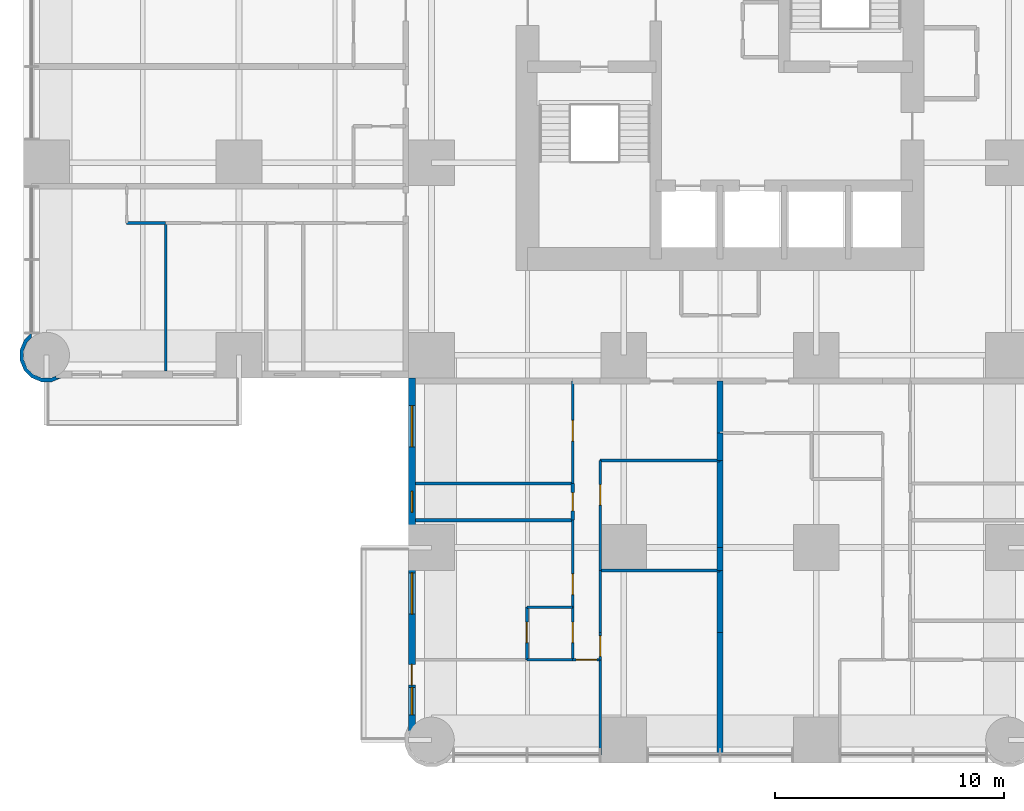
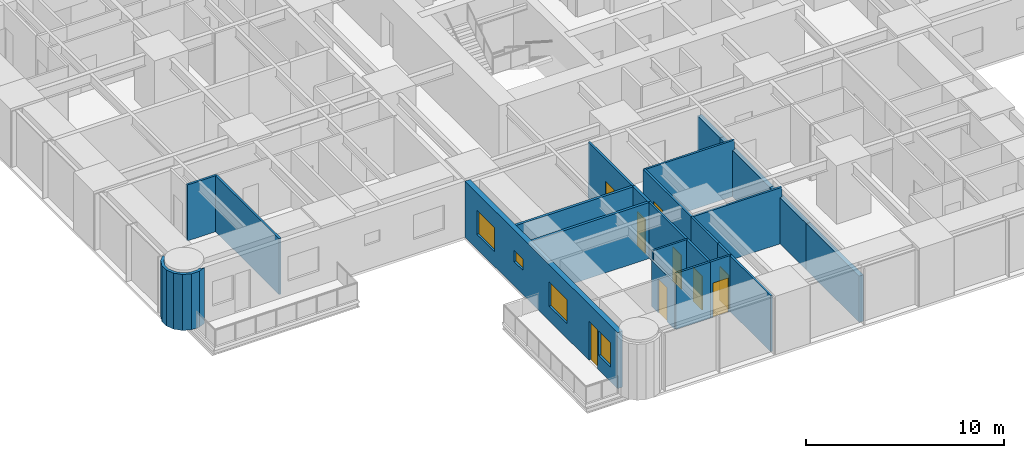
# One storey, part 7 of 17: 26 walls, 9 doors, 4 windows, 13 openings.
"""IFC4 building model written with IfcOpenShell, lengths in metres."""

from ifc_helpers import new_model, si_unit, direction, frame, frame_2d, origin, place, context, subcontext, project, spatial, polyline, rectangle, outline, extrude, material, layer, layer_set, type_object, element, fill, save


model = new_model("IFC4")

# Units and contexts
model_context = context("Model", 3, precision=1e-05, world=origin(), true_north=direction((0.0, 1.0)))
body_context = subcontext(model_context, "Body", "Model", "MODEL_VIEW")
ifc_project = project(units=[si_unit("LENGTHUNIT", "METRE"), si_unit("AREAUNIT", "SQUARE_METRE"), si_unit("VOLUMEUNIT", "CUBIC_METRE"), si_unit("PLANEANGLEUNIT", "RADIAN"), si_unit("MASSUNIT", "GRAM", prefix="KILO")], contexts=[model_context])

# Site, building, storey
site_placement = place(None, origin())
site = spatial("IfcSite", under=ifc_project, at=site_placement, CompositionType="ELEMENT")
building_placement = place(site_placement, origin())
building = spatial("IfcBuilding", under=site, at=building_placement, Name="Torre Alcanfor", CompositionType="ELEMENT")
storey_placement = place(building_placement, frame((0.0, 0.0, 95.699951171875)))
storey = spatial("IfcBuildingStorey", under=building, at=storey_placement, Name="L24", CompositionType="ELEMENT", Elevation=95.699951171875)

# Walls
ifc_material_1 = material(Name="Gypsum board on steel studs", Category="steel")
ifc_layer_1 = layer(ifc_material_1, 0.1201171875)
ifc_layer_set_1 = layer_set([ifc_layer_1], Name="Apartment partition 120")
wall_type_1 = type_object("IfcWallType", Name="Apartment partition 120", PredefinedType="PARTITIONING", material=ifc_layer_set_1)
for number, where, z_axis, x_axis, name in (
    (1, (29.39990234375, 12.199951171875, 0.0), (0.0, 0.0, 1.0), (-1.0, 0.0, 0.0), "Partition L24-S2-ZAG / L24-S2-FAMILY"),
    (2, (29.39990234375, 7.39990234375, 0.0), (0.0, 0.0, 1.0), (-1.0, 0.0, 0.0), "Partition L24-S2-FAMILY / L24-S2-KITCHEN"),
):
    element("IfcWall", number, at=place(storey_placement, frame(where, z_axis=z_axis, x_axis=x_axis)), inside=storey, type_object=wall_type_1, Name=name, PredefinedType="PARTITIONING", context=body_context, shape_type="SweptSolid", body=[
        extrude(rectangle(XDim=5.22900390625, YDim=0.1201171875, at=frame_2d((2.614501953125, 0.0))), origin(), (0.0, 0.0, 1.0), 3.449951171875),
    ])

# Wall, opening, door
wall_1_placement = place(storey_placement, frame((24.1708984375, 7.39990234375, 0.0), z_axis=(0.0, 0.0, 1.0), x_axis=(0.0, 1.0, 0.0)))
wall_1 = element("IfcWall", 3, at=wall_1_placement, inside=storey, type_object=wall_type_1, Name="Partition L24-S2-FAMILY / L24-S2-HALL", PredefinedType="PARTITIONING", context=body_context, shape_type="SweptSolid", body=[
    extrude(rectangle(XDim=4.800048828125, YDim=0.1201171875, at=frame_2d((2.39990234375, 0.0))), origin(), (0.0, 0.0, 1.0), 3.449951171875),
])
opening_1_placement = place(wall_1_placement, frame((2.85009765625, 0.0, 0.0)))
opening_1 = element("IfcOpeningElement", 4, at=opening_1_placement, cuts=wall_1, Name="Opening D-R1", PredefinedType="OPENING", context=body_context, shape_type="SweptSolid", body=[
    extrude(rectangle(XDim=0.89990234375, YDim=2.10009765625, at=frame_2d((0.449951171875, 1.050048828125))), frame((0.0, 0.070068359375, 0.0), z_axis=(0.0, -1.0, 0.0), x_axis=(1.0, 0.0, 0.0)), (0.0, 0.0, 1.0), 0.14013671875),
])
ifc_material_2 = material(Name="Timber", Category="wood")
door_type_1 = type_object("IfcDoorType", Name="Internal door 900x2100", OperationType="SINGLE_SWING_LEFT", PredefinedType="DOOR", material=ifc_material_2)
door_1_placement = place(opening_1_placement, frame((0.89990234375, 0.0, 0.0), z_axis=(0.0, 0.0, 1.0), x_axis=(-1.0, 0.0, 0.0)))
door_1 = element("IfcDoor", 5, at=door_1_placement, inside=storey, type_object=door_type_1, Name="Door L24-S2 family", OperationType="SINGLE_SWING_LEFT", OverallHeight=2.10009765625, OverallWidth=0.89990234375, PredefinedType="DOOR", context=body_context, shape_type="SweptSolid", body=[
    extrude(rectangle(XDim=0.89990234375, YDim=2.10009765625, at=frame_2d((0.449951171875, 1.050048828125))), frame((0.0, 0.025146484375, 0.0), z_axis=(0.0, -1.0, 0.0), x_axis=(1.0, 0.0, 0.0)), (0.0, 0.0, 1.0), 0.050048828125),
])
fill(opening_1, door_1)

# Wall
wall_2_placement = place(storey_placement, frame((24.1708984375, 4.699951171875, 0.0), z_axis=(0.0, 0.0, 1.0), x_axis=(0.0, 1.0, 0.0)))
element("IfcWall", 6, at=wall_2_placement, inside=storey, type_object=wall_type_1, Name="Partition L24-S2-KITCHEN / L24-S2-HALL", PredefinedType="PARTITIONING", context=body_context, shape_type="SweptSolid", body=[
    extrude(rectangle(XDim=2.699951171875, YDim=0.1201171875, at=frame_2d((1.35009765625, 0.0))), origin(), (0.0, 0.0, 1.0), 3.449951171875),
])

# Wall, opening, door
wall_3_placement = place(storey_placement, frame((24.1708984375, 3.5, 0.0), z_axis=(0.0, 0.0, 1.0), x_axis=(0.0, 1.0, 0.0)))
wall_3 = element("IfcWall", 7, at=wall_3_placement, inside=storey, type_object=wall_type_1, Name="Partition L24-S2-LIVING / L24-S2-HALL", PredefinedType="PARTITIONING", context=body_context, shape_type="SweptSolid", body=[
    extrude(rectangle(XDim=1.199951171875, YDim=0.1201171875, at=frame_2d((0.60009765625, 0.0))), origin(), (0.0, 0.0, 1.0), 3.449951171875),
])
opening_2_placement = place(wall_3_placement, frame((0.14990234375, 0.0, 0.0)))
opening_2 = element("IfcOpeningElement", 8, at=opening_2_placement, cuts=wall_3, Name="Opening D-R1", PredefinedType="OPENING", context=body_context, shape_type="SweptSolid", body=[
    extrude(rectangle(XDim=0.89990234375, YDim=2.10009765625, at=frame_2d((0.449951171875, 1.050048828125))), frame((0.0, 0.070068359375, 0.0), z_axis=(0.0, -1.0, 0.0), x_axis=(1.0, 0.0, 0.0)), (0.0, 0.0, 1.0), 0.14013671875),
])
door_2_placement = place(opening_2_placement, frame((0.89990234375, 0.0, 0.0), z_axis=(0.0, 0.0, 1.0), x_axis=(-1.0, 0.0, 0.0)))
door_2 = element("IfcDoor", 9, at=door_2_placement, inside=storey, type_object=door_type_1, Name="Door L24-S2 living", OperationType="SINGLE_SWING_LEFT", OverallHeight=2.10009765625, OverallWidth=0.89990234375, PredefinedType="DOOR", context=body_context, shape_type="SweptSolid", body=[
    extrude(rectangle(XDim=0.89990234375, YDim=2.10009765625, at=frame_2d((0.449951171875, 1.050048828125))), frame((0.0, 0.025146484375, 0.0), z_axis=(0.0, -1.0, 0.0), x_axis=(1.0, 0.0, 0.0)), (0.0, 0.0, 1.0), 0.050048828125),
])
fill(opening_2, door_2)

# Wall
wall_4_placement = place(storey_placement, frame((24.1708984375, -0.64990234375, 0.0), z_axis=(0.0, 0.0, 1.0), x_axis=(0.0, 1.0, 0.0)))
element("IfcWall", 10, at=wall_4_placement, inside=storey, type_object=wall_type_1, Name="Partition L24-S2-LIVING / L24-S2-WGARD", PredefinedType="PARTITIONING", context=body_context, shape_type="SweptSolid", body=[
    extrude(rectangle(XDim=4.14990234375, YDim=0.1201171875, at=frame_2d((2.074951171875, 0.0))), origin(), (0.0, 0.0, 1.0), 3.449951171875),
])

# Wall, opening, door
wall_5_placement = place(storey_placement, frame((22.970947265625, 11.199951171875, 0.0), z_axis=(0.0, 0.0, 1.0), x_axis=(0.0, 1.0, 0.0)))
wall_5 = element("IfcWall", 11, at=wall_5_placement, inside=storey, type_object=wall_type_1, Name="Partition L24-S2-HALL / L24-S2-BED2", PredefinedType="PARTITIONING", context=body_context, shape_type="SweptSolid", body=[
    extrude(rectangle(XDim=4.47509765625, YDim=0.1201171875, at=frame_2d((2.237548828125, 0.0))), origin(), (0.0, 0.0, 1.0), 3.449951171875),
])
opening_3_placement = place(wall_5_placement, frame((1.85009765625, 0.0, 0.0)))
opening_3 = element("IfcOpeningElement", 12, at=opening_3_placement, cuts=wall_5, Name="Opening D-R1", PredefinedType="OPENING", context=body_context, shape_type="SweptSolid", body=[
    extrude(rectangle(XDim=0.89990234375, YDim=2.10009765625, at=frame_2d((0.449951171875, 1.050048828125))), frame((0.0, 0.070068359375, 0.0), z_axis=(0.0, -1.0, 0.0), x_axis=(1.0, 0.0, 0.0)), (0.0, 0.0, 1.0), 0.14013671875),
])
door_3_placement = place(opening_3_placement, origin())
door_3 = element("IfcDoor", 13, at=door_3_placement, inside=storey, type_object=door_type_1, Name="Door L24-S2 bed2", OperationType="SINGLE_SWING_RIGHT", OverallHeight=2.10009765625, OverallWidth=0.89990234375, PredefinedType="DOOR", context=body_context, shape_type="SweptSolid", body=[
    extrude(rectangle(XDim=0.89990234375, YDim=2.10009765625, at=frame_2d((0.449951171875, 1.050048828125))), frame((0.0, 0.02490234375, 0.0), z_axis=(0.0, -1.0, 0.0), x_axis=(1.0, 0.0, 0.0)), (0.0, 0.0, 1.0), 0.050048828125),
])
fill(opening_3, door_3)

wall_6_placement = place(storey_placement, frame((22.970947265625, 5.800048828125, 0.0), z_axis=(0.0, 0.0, 1.0), x_axis=(0.0, 1.0, 0.0)))
wall_6 = element("IfcWall", 14, at=wall_6_placement, inside=storey, type_object=wall_type_1, Name="Partition L24-S2-HALL / L24-S2-MASTER", PredefinedType="PARTITIONING", context=body_context, shape_type="SweptSolid", body=[
    extrude(rectangle(XDim=3.800048828125, YDim=0.1201171875, at=frame_2d((1.89990234375, 0.0))), origin(), (0.0, 0.0, 1.0), 3.449951171875),
])
opening_4_placement = place(wall_6_placement, frame((0.550048828125, 0.0, 0.0)))
opening_4 = element("IfcOpeningElement", 15, at=opening_4_placement, cuts=wall_6, Name="Opening D-R1", PredefinedType="OPENING", context=body_context, shape_type="SweptSolid", body=[
    extrude(rectangle(XDim=0.89990234375, YDim=2.10009765625, at=frame_2d((0.449951171875, 1.050048828125))), frame((0.0, 0.070068359375, 0.0), z_axis=(0.0, -1.0, 0.0), x_axis=(1.0, 0.0, 0.0)), (0.0, 0.0, 1.0), 0.14013671875),
])
door_4_placement = place(opening_4_placement, origin())
door_4 = element("IfcDoor", 16, at=door_4_placement, inside=storey, type_object=door_type_1, Name="Door L24-S2 master", OperationType="SINGLE_SWING_LEFT", OverallHeight=2.10009765625, OverallWidth=0.89990234375, PredefinedType="DOOR", context=body_context, shape_type="SweptSolid", body=[
    extrude(rectangle(XDim=0.89990234375, YDim=2.10009765625, at=frame_2d((0.449951171875, 1.050048828125))), frame((0.0, 0.02490234375, 0.0), z_axis=(0.0, -1.0, 0.0), x_axis=(1.0, 0.0, 0.0)), (0.0, 0.0, 1.0), 0.050048828125),
])
fill(opening_4, door_4)

wall_7_placement = place(storey_placement, frame((22.970947265625, 3.5, 0.0), z_axis=(0.0, 0.0, 1.0), x_axis=(0.0, 1.0, 0.0)))
wall_7 = element("IfcWall", 17, at=wall_7_placement, inside=storey, type_object=wall_type_1, Name="Partition L24-S2-HALL / L24-S2-VEST", PredefinedType="PARTITIONING", context=body_context, shape_type="SweptSolid", body=[
    extrude(rectangle(XDim=2.300048828125, YDim=0.1201171875, at=frame_2d((1.14990234375, 0.0))), origin(), (0.0, 0.0, 1.0), 3.449951171875),
])
opening_5_placement = place(wall_7_placement, frame((0.75, 0.0, 0.0)))
opening_5 = element("IfcOpeningElement", 18, at=opening_5_placement, cuts=wall_7, Name="Opening D-R1", PredefinedType="OPENING", context=body_context, shape_type="SweptSolid", body=[
    extrude(rectangle(XDim=0.89990234375, YDim=2.10009765625, at=frame_2d((0.449951171875, 1.050048828125))), frame((0.0, 0.070068359375, 0.0), z_axis=(0.0, -1.0, 0.0), x_axis=(1.0, 0.0, 0.0)), (0.0, 0.0, 1.0), 0.14013671875),
])
door_5_placement = place(opening_5_placement, origin())
door_5 = element("IfcDoor", 19, at=door_5_placement, inside=storey, type_object=door_type_1, Name="Door L24-S2 vest", OperationType="SINGLE_SWING_RIGHT", OverallHeight=2.10009765625, OverallWidth=0.89990234375, PredefinedType="DOOR", context=body_context, shape_type="SweptSolid", body=[
    extrude(rectangle(XDim=0.89990234375, YDim=2.10009765625, at=frame_2d((0.449951171875, 1.050048828125))), frame((0.0, 0.02490234375, 0.0), z_axis=(0.0, -1.0, 0.0), x_axis=(1.0, 0.0, 0.0)), (0.0, 0.0, 1.0), 0.050048828125),
])
fill(opening_5, door_5)

wall_8_placement = place(storey_placement, frame((24.1708984375, 3.5, 0.0), z_axis=(0.0, 0.0, 1.0), x_axis=(-1.0, 0.0, 0.0)))
wall_8 = element("IfcWall", 20, at=wall_8_placement, inside=storey, type_object=wall_type_1, Name="Partition L24-S2-HALL / L24-S2-WGARD", PredefinedType="PARTITIONING", context=body_context, shape_type="SweptSolid", body=[
    extrude(rectangle(XDim=1.199951171875, YDim=0.1201171875, at=frame_2d((0.60009765625, 0.0))), origin(), (0.0, 0.0, 1.0), 3.449951171875),
])
opening_6_placement = place(wall_8_placement, frame((0.15087890625, 0.0, 0.0)))
opening_6 = element("IfcOpeningElement", 21, at=opening_6_placement, cuts=wall_8, Name="Opening D-R1", PredefinedType="OPENING", context=body_context, shape_type="SweptSolid", body=[
    extrude(rectangle(XDim=0.89990234375, YDim=2.10009765625, at=frame_2d((0.449951171875, 1.050048828125))), frame((0.0, 0.070068359375, 0.0), z_axis=(0.0, -1.0, 0.0), x_axis=(1.0, 0.0, 0.0)), (0.0, 0.0, 1.0), 0.14013671875),
])
door_6_placement = place(opening_6_placement, origin())
door_6 = element("IfcDoor", 22, at=door_6_placement, inside=storey, type_object=door_type_1, Name="Door L24-S2 wgard", OperationType="SINGLE_SWING_LEFT", OverallHeight=2.10009765625, OverallWidth=0.89990234375, PredefinedType="DOOR", context=body_context, shape_type="SweptSolid", body=[
    extrude(rectangle(XDim=0.89990234375, YDim=2.10009765625, at=frame_2d((0.449951171875, 1.050048828125))), frame((0.0, 0.02490234375, 0.0), z_axis=(0.0, -1.0, 0.0), x_axis=(1.0, 0.0, 0.0)), (0.0, 0.0, 1.0), 0.050048828125),
])
fill(opening_6, door_6)

# Wall
wall_9_placement = place(storey_placement, frame((22.970947265625, 5.800048828125, 0.0), z_axis=(0.0, 0.0, 1.0), x_axis=(-1.0, 0.0, 0.0)))
element("IfcWall", 23, at=wall_9_placement, inside=storey, type_object=wall_type_1, Name="Partition L24-S2-MASTER / L24-S2-VEST", PredefinedType="PARTITIONING", context=body_context, shape_type="SweptSolid", body=[
    extrude(rectangle(XDim=2.0, YDim=0.1201171875, at=frame_2d((1.0, 0.0))), origin(), (0.0, 0.0, 1.0), 3.449951171875),
])

# Wall, opening, door
wall_10_placement = place(storey_placement, frame((20.970947265625, 5.800048828125, 0.0), z_axis=(0.0, 0.0, 1.0), x_axis=(0.0, -1.0, 0.0)))
wall_10 = element("IfcWall", 24, at=wall_10_placement, inside=storey, type_object=wall_type_1, Name="Partition L24-S2-MASTER / L24-S2-VEST", PredefinedType="PARTITIONING", context=body_context, shape_type="SweptSolid", body=[
    extrude(rectangle(XDim=2.300048828125, YDim=0.1201171875, at=frame_2d((1.14990234375, 0.0))), origin(), (0.0, 0.0, 1.0), 2.84814453125),
])
opening_7_placement = place(wall_10_placement, frame((0.64990234375, 0.0, 0.0)))
opening_7 = element("IfcOpeningElement", 25, at=opening_7_placement, cuts=wall_10, Name="Opening D-R1", PredefinedType="OPENING", context=body_context, shape_type="SweptSolid", body=[
    extrude(rectangle(XDim=0.89990234375, YDim=2.10009765625, at=frame_2d((0.449951171875, 1.050048828125))), frame((0.0, 0.070068359375, 0.0), z_axis=(0.0, -1.0, 0.0), x_axis=(1.0, 0.0, 0.0)), (0.0, 0.0, 1.0), 0.14013671875),
])
door_7_placement = place(opening_7_placement, origin())
door_7 = element("IfcDoor", 26, at=door_7_placement, inside=storey, type_object=door_type_1, Name="Door L24-S2 master", OperationType="SINGLE_SWING_LEFT", OverallHeight=2.10009765625, OverallWidth=0.89990234375, PredefinedType="DOOR", context=body_context, shape_type="SweptSolid", body=[
    extrude(rectangle(XDim=0.89990234375, YDim=2.10009765625, at=frame_2d((0.449951171875, 1.050048828125))), frame((0.0, 0.02490234375, 0.0), z_axis=(0.0, -1.0, 0.0), x_axis=(1.0, 0.0, 0.0)), (0.0, 0.0, 1.0), 0.050048828125),
])
fill(opening_7, door_7)

# Walls
wall_11_placement = place(storey_placement, frame((22.970947265625, 3.5, 0.0), z_axis=(0.0, 0.0, 1.0), x_axis=(-1.0, 0.0, 0.0)))
element("IfcWall", 27, at=wall_11_placement, inside=storey, type_object=wall_type_1, Name="Partition L24-S2-VEST / L24-S2-WGARD", PredefinedType="PARTITIONING", context=body_context, shape_type="SweptSolid", body=[
    extrude(rectangle(XDim=2.0, YDim=0.1201171875, at=frame_2d((1.0, 0.0))), origin(), (0.0, 0.0, 1.0), 3.449951171875),
])
wall_12_placement = place(storey_placement, frame((3.5, 22.571044921875, 0.0), z_axis=(0.0, 0.0, 1.0), x_axis=(1.0, 0.0, 0.0)))
element("IfcWall", 28, at=wall_12_placement, inside=storey, type_object=wall_type_1, Name="Partition L24-W1B-HALL / L24-W1B-KITCHEN", PredefinedType="PARTITIONING", context=body_context, shape_type="SweptSolid", body=[
    extrude(rectangle(XDim=1.699951171875, YDim=0.1201171875, at=frame_2d((0.85009765625, 0.0))), origin(), (0.0, 0.0, 1.0), 3.449951171875),
])
wall_13_placement = place(storey_placement, frame((5.199951171875, 22.571044921875, 0.0), z_axis=(0.0, 0.0, 1.0), x_axis=(0.0, -1.0, 0.0)))
element("IfcWall", 29, at=wall_13_placement, inside=storey, type_object=wall_type_1, Name="Partition L24-W1B-STUDY / L24-W1B-KITCHEN", PredefinedType="PARTITIONING", context=body_context, shape_type="SweptSolid", body=[
    extrude(rectangle(XDim=6.470947265625, YDim=0.1201171875, at=frame_2d((3.2353515625, 0.0))), origin(), (0.0, 0.0, 1.0), 3.449951171875),
])

# Wall, openings, door, windows
ifc_material_3 = material(Name="Limestone cladding", Category="masonry")
ifc_layer_2 = layer(ifc_material_3, 0.0400390625, Name="Facing")
ifc_material_4 = material(Name="Ventilated air cavity")
ifc_layer_3 = layer(ifc_material_4, 0.02001953125, ventilated=True, Name="Ventilated joint")
ifc_material_5 = material(Name="Mineral wool insulation", Category="insulation")
ifc_layer_4 = layer(ifc_material_5, 0.10009765625, Name="Insulation")
ifc_material_6 = material(Name="Concrete f'c 35 MPa", Category="concrete")
ifc_layer_5 = layer(ifc_material_6, 0.139892578125, Name="Backing")
ifc_layer_set_2 = layer_set([ifc_layer_2, ifc_layer_3, ifc_layer_4, ifc_layer_5], Name="External wall stone-clad 300")
wall_type_2 = type_object("IfcWallType", Name="External wall stone-clad 300", PredefinedType="SOLIDWALL", material=ifc_layer_set_2)
wall_14_placement = place(storey_placement, frame((15.949951171875, 15.800048828125, 0.0), z_axis=(0.0, 0.0, 1.0), x_axis=(0.0, -1.0, 0.0)))
wall_14 = element("IfcWall", 30, at=wall_14_placement, inside=storey, type_object=wall_type_2, Name="External wall L24 4", PredefinedType="SOLIDWALL", context=body_context, shape_type="SweptSolid", body=[
    extrude(rectangle(XDim=15.400146484375, YDim=0.300048828125, at=frame_2d((7.7001953125, 0.0))), origin(), (0.0, 0.0, 1.0), 3.449951171875),
])
opening_8_placement = place(wall_14_placement, frame((1.199951171875, 0.0, 0.89990234375)))
opening_8 = element("IfcOpeningElement", 31, at=opening_8_placement, cuts=wall_14, Name="Opening W2", PredefinedType="OPENING", context=body_context, shape_type="SweptSolid", body=[
    extrude(rectangle(XDim=1.800048828125, YDim=1.5, at=frame_2d((0.89990234375, 0.75))), frame((0.0, 0.159912109375, 0.0), z_axis=(0.0, -1.0, 0.0), x_axis=(1.0, 0.0, 0.0)), (0.0, 0.0, 1.0), 0.320068359375),
])
opening_9_placement = place(wall_14_placement, frame((4.949951171875, 0.0, 1.5)))
opening_9 = element("IfcOpeningElement", 32, at=opening_9_placement, cuts=wall_14, Name="Opening W3", PredefinedType="OPENING", context=body_context, shape_type="SweptSolid", body=[
    extrude(rectangle(XDim=0.89990234375, YDim=0.699951171875, at=frame_2d((0.449951171875, 0.35009765625))), frame((0.0, 0.159912109375, 0.0), z_axis=(0.0, -1.0, 0.0), x_axis=(1.0, 0.0, 0.0)), (0.0, 0.0, 1.0), 0.320068359375),
])
opening_10_placement = place(wall_14_placement, frame((8.5, 0.0, 0.89990234375)))
opening_10 = element("IfcOpeningElement", 33, at=opening_10_placement, cuts=wall_14, Name="Opening W2", PredefinedType="OPENING", context=body_context, shape_type="SweptSolid", body=[
    extrude(rectangle(XDim=1.800048828125, YDim=1.5, at=frame_2d((0.89990234375, 0.75))), frame((0.0, 0.159912109375, 0.0), z_axis=(0.0, -1.0, 0.0), x_axis=(1.0, 0.0, 0.0)), (0.0, 0.0, 1.0), 0.320068359375),
])
opening_11_placement = place(wall_14_placement, frame((12.5, 0.0, 0.0)))
opening_11 = element("IfcOpeningElement", 34, at=opening_11_placement, cuts=wall_14, Name="Opening D-B1", PredefinedType="OPENING", context=body_context, shape_type="SweptSolid", body=[
    extrude(rectangle(XDim=0.89990234375, YDim=2.39990234375, at=frame_2d((0.449951171875, 1.199951171875))), frame((0.0, 0.159912109375, 0.0), z_axis=(0.0, -1.0, 0.0), x_axis=(1.0, 0.0, 0.0)), (0.0, 0.0, 1.0), 0.320068359375),
])
opening_12_placement = place(wall_14_placement, frame((13.5, 0.0, 0.89990234375)))
opening_12 = element("IfcOpeningElement", 35, at=opening_12_placement, cuts=wall_14, Name="Opening W4", PredefinedType="OPENING", context=body_context, shape_type="SweptSolid", body=[
    extrude(rectangle(XDim=1.199951171875, YDim=1.5, at=frame_2d((0.60009765625, 0.75))), frame((0.0, 0.159912109375, 0.0), z_axis=(0.0, -1.0, 0.0), x_axis=(1.0, 0.0, 0.0)), (0.0, 0.0, 1.0), 0.320068359375),
])
ifc_material_7 = material(Name="Aluminium and glass", Category="aluminium")
door_type_2 = type_object("IfcDoorType", Name="Balcony door glazed 900x2400", OperationType="SINGLE_SWING_LEFT", PredefinedType="DOOR", material=ifc_material_7)
door_8_placement = place(opening_11_placement, origin())
door_8 = element("IfcDoor", 36, at=door_8_placement, inside=storey, type_object=door_type_2, Name="Balcony door L24-S2", OperationType="SINGLE_SWING_LEFT", OverallHeight=2.39990234375, OverallWidth=0.89990234375, PredefinedType="DOOR", context=body_context, shape_type="SweptSolid", body=[
    extrude(rectangle(XDim=0.89990234375, YDim=2.39990234375, at=frame_2d((0.449951171875, 1.199951171875))), frame((0.0, 0.02490234375, 0.0), z_axis=(0.0, -1.0, 0.0), x_axis=(1.0, 0.0, 0.0)), (0.0, 0.0, 1.0), 0.050048828125),
])
fill(opening_11, door_8)
ifc_material_8 = material(Name="Aluminium frame with clear double glazing", Category="aluminium")
window_type_1 = type_object("IfcWindowType", Name="Window bathroom 900x700", PartitioningType="SINGLE_PANEL", PredefinedType="WINDOW", material=ifc_material_8)
window_1_placement = place(opening_9_placement, origin())
window_1 = element("IfcWindow", 37, at=window_1_placement, inside=storey, type_object=window_type_1, Name="Window W3 L24-S2", OverallHeight=0.699951171875, OverallWidth=0.89990234375, PartitioningType="SINGLE_PANEL", PredefinedType="WINDOW", context=body_context, shape_type="SweptSolid", body=[
    extrude(rectangle(XDim=0.89990234375, YDim=0.699951171875, at=frame_2d((0.449951171875, 0.35009765625))), frame((0.0, 0.030029296875, 0.0), z_axis=(0.0, -1.0, 0.0), x_axis=(1.0, 0.0, 0.0)), (0.0, 0.0, 1.0), 0.06005859375),
])
fill(opening_9, window_1)
ifc_material_9 = material(Name="Aluminium frame with clear double glazing", Category="aluminium")
window_type_2 = type_object("IfcWindowType", Name="Window bedroom 1200x1500", PartitioningType="SINGLE_PANEL", PredefinedType="WINDOW", material=ifc_material_9)
window_2_placement = place(opening_12_placement, origin())
window_2 = element("IfcWindow", 38, at=window_2_placement, inside=storey, type_object=window_type_2, Name="Window W4 L24-S2", OverallHeight=1.5, OverallWidth=1.199951171875, PartitioningType="SINGLE_PANEL", PredefinedType="WINDOW", context=body_context, shape_type="SweptSolid", body=[
    extrude(rectangle(XDim=1.199951171875, YDim=1.5, at=frame_2d((0.60009765625, 0.75))), frame((0.0, 0.030029296875, 0.0), z_axis=(0.0, -1.0, 0.0), x_axis=(1.0, 0.0, 0.0)), (0.0, 0.0, 1.0), 0.06005859375),
])
fill(opening_12, window_2)
ifc_material_10 = material(Name="Aluminium frame with clear double glazing", Category="aluminium")
window_type_3 = type_object("IfcWindowType", Name="Window bedroom 1800x1500", PartitioningType="SINGLE_PANEL", PredefinedType="WINDOW", material=ifc_material_10)
window_3_placement = place(opening_8_placement, origin())
window_3 = element("IfcWindow", 39, at=window_3_placement, inside=storey, type_object=window_type_3, Name="Window W2 L24-S2", OverallHeight=1.5, OverallWidth=1.800048828125, PartitioningType="SINGLE_PANEL", PredefinedType="WINDOW", context=body_context, shape_type="SweptSolid", body=[
    extrude(rectangle(XDim=1.800048828125, YDim=1.5, at=frame_2d((0.89990234375, 0.75))), frame((0.0, 0.030029296875, 0.0), z_axis=(0.0, -1.0, 0.0), x_axis=(1.0, 0.0, 0.0)), (0.0, 0.0, 1.0), 0.06005859375),
])
fill(opening_8, window_3)
window_4_placement = place(opening_10_placement, origin())
window_4 = element("IfcWindow", 40, at=window_4_placement, inside=storey, type_object=window_type_3, Name="Window W2 L24-S2", OverallHeight=1.5, OverallWidth=1.800048828125, PartitioningType="SINGLE_PANEL", PredefinedType="WINDOW", context=body_context, shape_type="SweptSolid", body=[
    extrude(rectangle(XDim=1.800048828125, YDim=1.5, at=frame_2d((0.89990234375, 0.75))), frame((0.0, 0.030029296875, 0.0), z_axis=(0.0, -1.0, 0.0), x_axis=(1.0, 0.0, 0.0)), (0.0, 0.0, 1.0), 0.06005859375),
])
fill(opening_10, window_4)

# Walls
ifc_material_11 = material(Name="Concrete block masonry, hollow blocks NMX-C-404 9 MPa", Category="masonry")
ifc_layer_6 = layer(ifc_material_11, 0.25)
ifc_layer_set_3 = layer_set([ifc_layer_6], Name="Party wall 250 EI 60")
wall_type_3 = type_object("IfcWallType", Name="Party wall 250 EI 60", PredefinedType="PARTITIONING", material=ifc_layer_set_3)
wall_15_placement = place(storey_placement, frame((29.39990234375, 15.675048828125, 0.0), z_axis=(0.0, 0.0, 1.0), x_axis=(0.0, -1.0, 0.0)))
element("IfcWall", 41, at=wall_15_placement, inside=storey, type_object=wall_type_3, Name="Partition L24-S1-ZAG / L24-S2-ZAG", PredefinedType="PARTITIONING", context=body_context, shape_type="SweptSolid", body=[
    extrude(rectangle(XDim=2.275146484375, YDim=0.25, at=frame_2d((1.1376953125, 0.0))), origin(), (0.0, 0.0, 1.0), 2.84814453125),
])
wall_16_placement = place(storey_placement, frame((29.39990234375, 12.199951171875, 0.0), z_axis=(0.0, 0.0, 1.0), x_axis=(0.0, 1.0, 0.0)))
element("IfcWall", 42, at=wall_16_placement, inside=storey, type_object=wall_type_3, Name="Partition L24-S1-KITCHEN / L24-S2-ZAG", PredefinedType="PARTITIONING", context=body_context, shape_type="SweptSolid", body=[
    extrude(rectangle(XDim=1.199951171875, YDim=0.25, at=frame_2d((0.60009765625, 0.0))), origin(), (0.0, 0.0, 1.0), 2.84814453125),
])
wall_17_placement = place(storey_placement, frame((29.39990234375, 8.39990234375, 0.0), z_axis=(0.0, 0.0, 1.0), x_axis=(0.0, 1.0, 0.0)))
element("IfcWall", 43, at=wall_17_placement, inside=storey, type_object=wall_type_3, Name="Partition L24-S1-KITCHEN / L24-S2-FAMILY", PredefinedType="PARTITIONING", context=body_context, shape_type="SweptSolid", body=[
    extrude(rectangle(XDim=3.800048828125, YDim=0.25, at=frame_2d((1.89990234375, 0.0))), origin(), (0.0, 0.0, 1.0), 2.84814453125),
])
wall_18_placement = place(storey_placement, frame((29.39990234375, 7.39990234375, 0.0), z_axis=(0.0, 0.0, 1.0), x_axis=(0.0, 1.0, 0.0)))
element("IfcWall", 44, at=wall_18_placement, inside=storey, type_object=wall_type_3, Name="Partition L24-S1-LIVING / L24-S2-FAMILY", PredefinedType="PARTITIONING", context=body_context, shape_type="SweptSolid", body=[
    extrude(rectangle(XDim=1.0, YDim=0.25, at=frame_2d((0.5, 0.0))), origin(), (0.0, 0.0, 1.0), 2.84814453125),
])
wall_19_placement = place(storey_placement, frame((29.39990234375, 4.699951171875, 0.0), z_axis=(0.0, 0.0, 1.0), x_axis=(0.0, 1.0, 0.0)))
element("IfcWall", 45, at=wall_19_placement, inside=storey, type_object=wall_type_3, Name="Partition L24-S1-LIVING / L24-S2-KITCHEN", PredefinedType="PARTITIONING", context=body_context, shape_type="SweptSolid", body=[
    extrude(rectangle(XDim=2.699951171875, YDim=0.25, at=frame_2d((1.35009765625, 0.0))), origin(), (0.0, 0.0, 1.0), 2.84814453125),
])
wall_20_placement = place(storey_placement, frame((29.39990234375, -0.64990234375, 0.0), z_axis=(0.0, 0.0, 1.0), x_axis=(0.0, 1.0, 0.0)))
element("IfcWall", 46, at=wall_20_placement, inside=storey, type_object=wall_type_3, Name="Partition L24-S1-LIVING / L24-S2-LIVING", PredefinedType="PARTITIONING", context=body_context, shape_type="SweptSolid", body=[
    extrude(rectangle(XDim=5.349853515625, YDim=0.25, at=frame_2d((2.6748046875, 0.0))), origin(), (0.0, 0.0, 1.0), 2.84814453125),
])
ifc_layer_7 = layer(ifc_material_3, 0.0400390625, Name="Facing")
ifc_layer_8 = layer(ifc_material_4, 0.02001953125, ventilated=True, Name="Ventilated joint")
ifc_layer_9 = layer(ifc_material_5, 0.10009765625, Name="Insulation")
ifc_layer_10 = layer(ifc_material_6, 0.139892578125, Name="Backing")
ifc_layer_set_4 = layer_set([ifc_layer_7, ifc_layer_8, ifc_layer_9, ifc_layer_10], Name="Rounded corner pier stone-clad 300")
wall_type_4 = type_object("IfcWallType", Name="Rounded corner pier stone-clad 300", PredefinedType="SOLIDWALL", material=ifc_layer_set_4)
wall_21_placement = place(storey_placement, frame((-0.643275148, 17.667523535, 0.0), z_axis=(0.0, 0.0, 1.0), x_axis=(-0.831199417842, -0.555974394895, 0.0)))
element("IfcWall", 47, at=wall_21_placement, inside=storey, type_object=wall_type_4, Name="Corner pier L24 14", PredefinedType="SOLIDWALL", context=body_context, shape_type="SweptSolid", body=[
    extrude(outline(polyline([(0.1711795962868794, 2.1322238639333237), (0.11331991434814137, 2.066360534784921), (0.3385306263274189, 2.0214606425143806), (0.6697116443740095, 1.7999395945485634), (0.8906243154815436, 1.4688932382387638), (0.9683014763401089, 1.0782762019885972), (0.890375456717919, 0.687762152891243), (0.6689901446883555, 0.356784064390024), (0.33780805244230216, 0.13566846373711833), (0.06213435039934877, 0.08097286591496783), (-0.035866995575724744, -0.06554226584338904), (0.004515983953240654, -0.09255371715784835), (0.3997386010099072, -0.014138775317001168), (0.7834516070123592, 0.2420391289906345), (1.039992526531596, 0.6255759697431199), (1.1304051458628446, 1.0782309674187813), (1.040431554535663, 1.5308237868063688), (0.7843893861642811, 1.9147397223541924), (0.4008525454117956, 2.1712806418734294), (-0.009224769548548784, 2.2528931112627424), (0.1711795962868794, 2.1322238639333237)])), origin(), (0.0, 0.0, 1.0), 3.449951171875),
])

# Wall, opening, door
ifc_material_12 = material(Name="Cement board on steel studs", Category="steel")
ifc_layer_11 = layer(ifc_material_12, 0.14990234375)
ifc_layer_set_5 = layer_set([ifc_layer_11], Name="Wet area partition 150")
wall_type_5 = type_object("IfcWallType", Name="Wet area partition 150", PredefinedType="PARTITIONING", material=ifc_layer_set_5)
wall_22_placement = place(storey_placement, frame((22.970947265625, 9.60009765625, 0.0), z_axis=(0.0, 0.0, 1.0), x_axis=(0.0, 1.0, 0.0)))
wall_22 = element("IfcWall", 48, at=wall_22_placement, inside=storey, type_object=wall_type_5, Name="Partition L24-S2-HALL / L24-S2-BATH1", PredefinedType="PARTITIONING", context=body_context, shape_type="SweptSolid", body=[
    extrude(rectangle(XDim=1.599853515625, YDim=0.14990234375, at=frame_2d((0.7998046875, 0.0))), origin(), (0.0, 0.0, 1.0), 3.449951171875),
])
opening_13_placement = place(wall_22_placement, frame((0.39990234375, 0.0, 0.0)))
opening_13 = element("IfcOpeningElement", 49, at=opening_13_placement, cuts=wall_22, Name="Opening D-R2", PredefinedType="OPENING", context=body_context, shape_type="SweptSolid", body=[
    extrude(rectangle(XDim=0.800048828125, YDim=2.10009765625, at=frame_2d((0.39990234375, 1.050048828125))), frame((0.0, 0.0849609375, 0.0), z_axis=(0.0, -1.0, 0.0), x_axis=(1.0, 0.0, 0.0)), (0.0, 0.0, 1.0), 0.169921875),
])
ifc_material_13 = material(Name="Timber", Category="wood")
door_type_3 = type_object("IfcDoorType", Name="Bathroom door 800x2100", OperationType="SINGLE_SWING_LEFT", PredefinedType="DOOR", material=ifc_material_13)
door_9_placement = place(opening_13_placement, origin())
door_9 = element("IfcDoor", 50, at=door_9_placement, inside=storey, type_object=door_type_3, Name="Door L24-S2 bath1", OperationType="SINGLE_SWING_LEFT", OverallHeight=2.10009765625, OverallWidth=0.800048828125, PredefinedType="DOOR", context=body_context, shape_type="SweptSolid", body=[
    extrude(rectangle(XDim=0.800048828125, YDim=2.10009765625, at=frame_2d((0.39990234375, 1.050048828125))), frame((0.0, 0.02490234375, 0.0), z_axis=(0.0, -1.0, 0.0), x_axis=(1.0, 0.0, 0.0)), (0.0, 0.0, 1.0), 0.050048828125),
])
fill(opening_13, door_9)

# Walls
for number, where, z_axis, x_axis, name in (
    (51, (22.970947265625, 11.199951171875, 0.0), (0.0, 0.0, 1.0), (-1.0, 0.0, 0.0), "Partition L24-S2-BED2 / L24-S2-BATH1"),
    (52, (22.970947265625, 9.60009765625, 0.0), (0.0, 0.0, 1.0), (-1.0, 0.0, 0.0), "Partition L24-S2-BATH1 / L24-S2-MASTER"),
):
    element("IfcWall", number, at=place(storey_placement, frame(where, z_axis=z_axis, x_axis=x_axis)), inside=storey, type_object=wall_type_5, Name=name, PredefinedType="PARTITIONING", context=body_context, shape_type="SweptSolid", body=[
        extrude(rectangle(XDim=6.870849609375, YDim=0.14990234375, at=frame_2d((3.435546875, 0.0))), origin(), (0.0, 0.0, 1.0), 3.449951171875),
    ])

save(model, "model.ifc")
